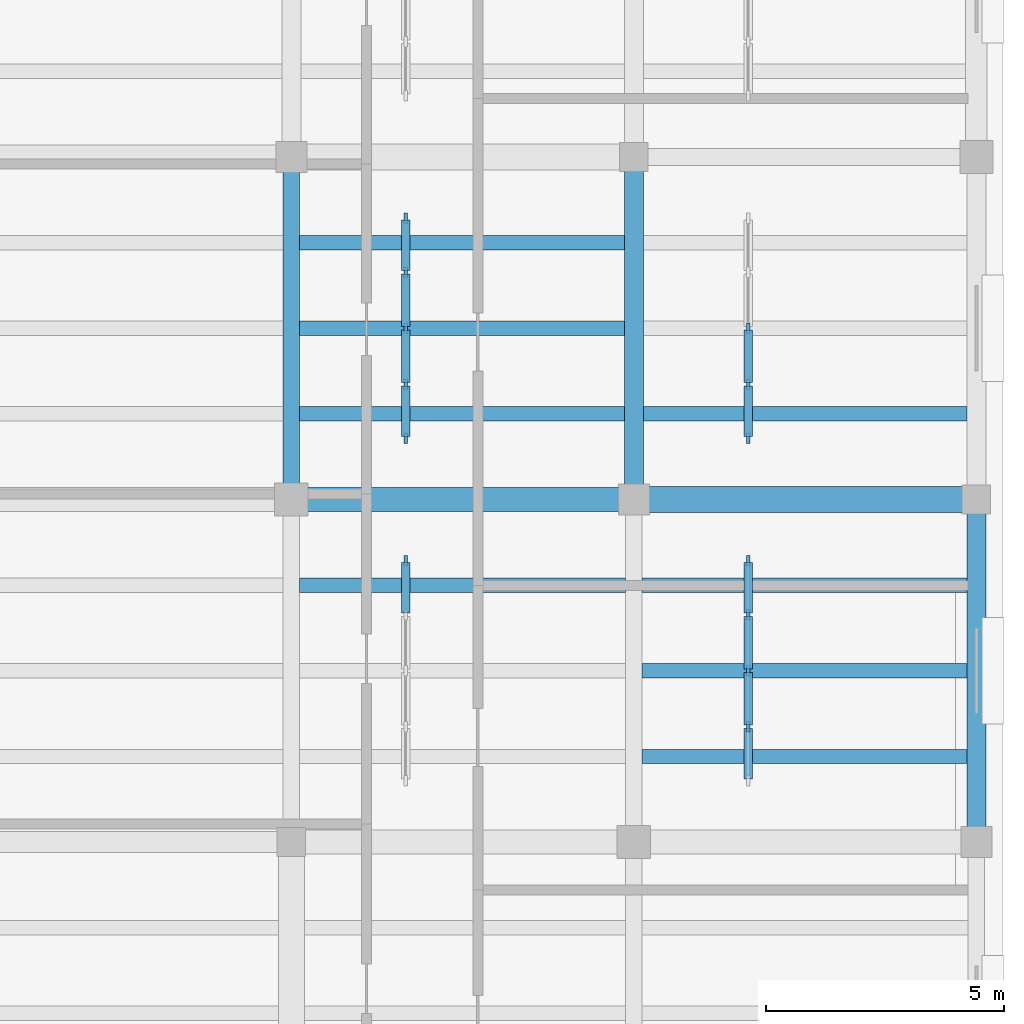
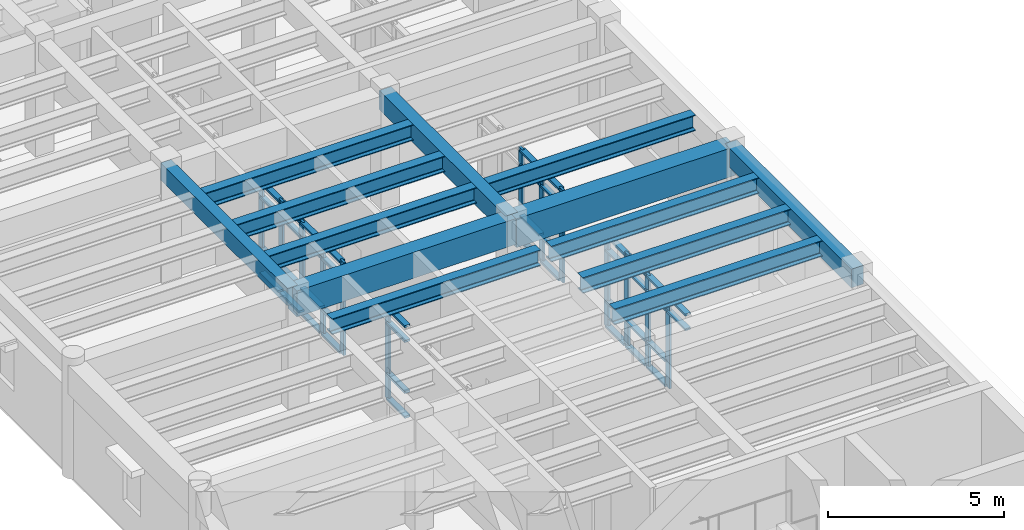
# One storey, part 17 of 66: 55 members, 13 beams, 4 elements without a shape of their own.
"""IFC4 building model written with IfcOpenShell, lengths in metres."""

from ifc_helpers import new_model, si_unit, direction, frame, origin, origin_2d, place, context, subcontext, project, spatial, rectangle, i_section, extrude, material, material_profile, profile_set, type_object, element, aggregate, save


model = new_model("IFC4")

# Units and contexts
model_context = context("Model", 3, precision=1e-05, world=origin(), true_north=direction((0.0, 1.0)))
body_context = subcontext(model_context, "Body", "Model", "MODEL_VIEW")
ifc_project = project(units=[si_unit("LENGTHUNIT", "METRE"), si_unit("AREAUNIT", "SQUARE_METRE"), si_unit("VOLUMEUNIT", "CUBIC_METRE"), si_unit("PLANEANGLEUNIT", "RADIAN"), si_unit("MASSUNIT", "GRAM", prefix="KILO")], contexts=[model_context])

# Site, building, storey
site_placement = place(None, origin())
site = spatial("IfcSite", under=ifc_project, at=site_placement, CompositionType="ELEMENT")
building_placement = place(site_placement, origin())
building = spatial("IfcBuilding", under=site, at=building_placement, Name="Mithqara Police Headquarters", CompositionType="ELEMENT")
storey_placement = place(building_placement, frame((0.0, 0.0, 9.60009765625)))
storey = spatial("IfcBuildingStorey", under=building, at=storey_placement, Name="L02", CompositionType="ELEMENT", Elevation=9.60009765625)

# Beams
ifc_material_1 = material(Name="Steel S355JR", Category="steel")
ifc_material_profile_1 = material_profile(ifc_material_1, i_section(OverallWidth=0.300048828125, OverallDepth=0.550048828125, WebThickness=0.014892578125, FlangeThickness=0.029052734375, FilletRadius=0.027099609375, at=origin_2d()), Name="HEB 550")
ifc_profile_set_1 = profile_set([ifc_material_profile_1], Name="Steel S355JR")
beam_type_1 = type_object("IfcBeamType", Name="BEAM HEB550", PredefinedType="BEAM", material=ifc_profile_set_1)
beam_1_placement = place(storey_placement, frame((151.97509765625, 62.39990234375, 3.664794921875), z_axis=(1.0, 0.0, 0.0), x_axis=(0.0, 1.0, 0.0)))
element("IfcBeam", 1, at=beam_1_placement, inside=storey, type_object=beam_type_1, Name="L02 Composite Steel Joist 22-23/J.3", PredefinedType="BEAM", context=body_context, shape_type="SweptSolid", body=[
    extrude(i_section(OverallWidth=0.300048828125, OverallDepth=0.550048828125, WebThickness=0.014892578125, FlangeThickness=0.029052734375, FilletRadius=0.027099609375, at=origin_2d()), origin(), (0.0, 0.0, 1.0), 6.849853515625),
])
for number, where, z_axis, x_axis, name in (
    (2, (151.97509765625, 66.0, 3.664794921875), (1.0, 0.0, 0.0), (0.0, 1.0, 0.0), "L02 Composite Steel Joist 22-23/K.1"),
    (3, (151.97509765625, 67.800048828125, 3.664794921875), (1.0, 0.0, 0.0), (0.0, 1.0, 0.0), "L02 Composite Steel Joist 22-23/K.2"),
    (4, (151.97509765625, 69.60009765625, 3.664794921875), (1.0, 0.0, 0.0), (0.0, 1.0, 0.0), "L02 Composite Steel Joist 22-23/K.3"),
    (5, (159.175048828125, 58.800048828125, 3.664794921875), (1.0, 0.0, 0.0), (0.0, 1.0, 0.0), "L02 Composite Steel Joist 23-24/J.1"),
    (6, (159.175048828125, 60.60009765625, 3.664794921875), (1.0, 0.0, 0.0), (0.0, 1.0, 0.0), "L02 Composite Steel Joist 23-24/J.2"),
    (7, (159.175048828125, 62.39990234375, 3.664794921875), (1.0, 0.0, 0.0), (0.0, 1.0, 0.0), "L02 Composite Steel Joist 23-24/J.3"),
):
    element("IfcBeam", number, at=place(storey_placement, frame(where, z_axis=z_axis, x_axis=x_axis)), inside=storey, type_object=beam_type_1, Name=name, PredefinedType="BEAM", context=body_context, shape_type="SweptSolid", body=[
        extrude(i_section(OverallWidth=0.300048828125, OverallDepth=0.550048828125, WebThickness=0.014892578125, FlangeThickness=0.029052734375, FilletRadius=0.027099609375, at=origin_2d()), origin(), (0.0, 0.0, 1.0), 6.824951171875),
    ])
beam_2_placement = place(storey_placement, frame((159.199951171875, 66.0, 3.664794921875), z_axis=(1.0, 0.0, 0.0), x_axis=(0.0, 1.0, 0.0)))
element("IfcBeam", 8, at=beam_2_placement, inside=storey, type_object=beam_type_1, Name="L02 Composite Steel Joist 23-24/K.1", PredefinedType="BEAM", context=body_context, shape_type="SweptSolid", body=[
    extrude(i_section(OverallWidth=0.300048828125, OverallDepth=0.550048828125, WebThickness=0.014892578125, FlangeThickness=0.029052734375, FilletRadius=0.027099609375, at=origin_2d()), origin(), (0.0, 0.0, 1.0), 6.800048828125),
])
ifc_material_2 = material(Name="Concrete C40/50", Category="concrete")
ifc_material_profile_2 = material_profile(ifc_material_2, rectangle(XDim=0.35009765625, YDim=0.60009765625, at=origin_2d()), Name="RC 350x600")
ifc_profile_set_2 = profile_set([ifc_material_profile_2], Name="Concrete C40/50")
beam_type_2 = type_object("IfcBeamType", Name="BEAM RC350X600", PredefinedType="BEAM", material=ifc_profile_set_2)
beam_3_placement = place(storey_placement, frame((151.800048828125, 64.199951171875, 3.639892578125), z_axis=(0.0, 1.0, 0.0), x_axis=(-1.0, 0.0, 0.0)))
element("IfcBeam", 9, at=beam_3_placement, inside=storey, type_object=beam_type_2, Name="L02 Girder 22/K-L", PredefinedType="BEAM", context=body_context, shape_type="SweptSolid", body=[
    extrude(rectangle(XDim=0.35009765625, YDim=0.60009765625, at=origin_2d()), origin(), (0.0, 0.0, 1.0), 7.199951171875),
])
ifc_material_profile_3 = material_profile(ifc_material_2, rectangle(XDim=0.39990234375, YDim=0.64990234375, at=origin_2d()), Name="RC 400x650")
ifc_profile_set_3 = profile_set([ifc_material_profile_3], Name="Concrete C40/50")
beam_type_3 = type_object("IfcBeamType", Name="BEAM RC400X650", PredefinedType="BEAM", material=ifc_profile_set_3)
for number, where, z_axis, x_axis, name in (
    (10, (159.0, 64.199951171875, 3.614990234375), (0.0, 1.0, 0.0), (-1.0, 0.0, 0.0), "L02 Girder 23/K-L"),
    (11, (166.199951171875, 57.0, 3.614990234375), (0.0, 1.0, 0.0), (-1.0, 0.0, 0.0), "L02 Girder 24/J-K"),
):
    element("IfcBeam", number, at=place(storey_placement, frame(where, z_axis=z_axis, x_axis=x_axis)), inside=storey, type_object=beam_type_3, Name=name, PredefinedType="BEAM", context=body_context, shape_type="SweptSolid", body=[
        extrude(rectangle(XDim=0.39990234375, YDim=0.64990234375, at=origin_2d()), origin(), (0.0, 0.0, 1.0), 7.199951171875),
    ])
ifc_material_3 = material(Name="Concrete C50/60", Category="concrete")
ifc_material_profile_4 = material_profile(ifc_material_3, rectangle(XDim=0.5, YDim=0.89990234375, at=origin_2d()), Name="RC 500x900")
ifc_profile_set_4 = profile_set([ifc_material_profile_4], Name="Concrete C50/60")
beam_type_4 = type_object("IfcBeamType", Name="BEAM RC500X900", PredefinedType="BEAM", material=ifc_profile_set_4)
beam_4_placement = place(storey_placement, frame((151.800048828125, 64.199951171875, 3.489990234375), z_axis=(1.0, 0.0, 0.0), x_axis=(0.0, 1.0, 0.0)))
element("IfcBeam", 12, at=beam_4_placement, inside=storey, type_object=beam_type_4, Name="L02 Girder 22-23/K", PredefinedType="BEAM", context=body_context, shape_type="SweptSolid", body=[
    extrude(rectangle(XDim=0.5, YDim=0.89990234375, at=origin_2d()), origin(), (0.0, 0.0, 1.0), 7.199951171875),
])
ifc_material_profile_5 = material_profile(ifc_material_3, rectangle(XDim=0.550048828125, YDim=1.0, at=origin_2d()), Name="RC 550x1000")
ifc_profile_set_5 = profile_set([ifc_material_profile_5], Name="Concrete C50/60")
beam_type_5 = type_object("IfcBeamType", Name="BEAM RC550X1000", PredefinedType="BEAM", material=ifc_profile_set_5)
beam_5_placement = place(storey_placement, frame((159.0, 64.199951171875, 3.43994140625), z_axis=(1.0, 0.0, 0.0), x_axis=(0.0, 1.0, 0.0)))
element("IfcBeam", 13, at=beam_5_placement, inside=storey, type_object=beam_type_5, Name="L02 Girder 23-24/K", PredefinedType="BEAM", context=body_context, shape_type="SweptSolid", body=[
    extrude(rectangle(XDim=0.550048828125, YDim=1.0, at=origin_2d()), origin(), (0.0, 0.0, 1.0), 7.199951171875),
])

# Curtain wall, member
ifc_material_4 = material(Name="Bronze anodised aluminium 6063-T6", Category="aluminium")
curtain_wall_type = type_object("IfcCurtainWallType", Name="CURTAIN WALL 4700X3220", PredefinedType="USERDEFINED", material=ifc_material_4)
curtain_wall_1_placement = place(storey_placement, origin())
curtain_wall_1 = element("IfcCurtainWall", 14, at=curtain_wall_1_placement, inside=storey, type_object=curtain_wall_type, Name="L02 Unitised Glazing CW-16 (CW-INT-L02-X21-Y08-0)", ObjectType="UNITISED GLAZING", PredefinedType="USERDEFINED")
ifc_material_profile_6 = material_profile(ifc_material_4, rectangle(XDim=0.074951171875, YDim=0.219970703125, at=origin_2d()), Name="CWM 75x220")
ifc_profile_set_6 = profile_set([ifc_material_profile_6], Name="Bronze anodised aluminium 6063-T6")
member_type_1 = type_object("IfcMemberType", Name="CWMULLION 75X220", PredefinedType="MULLION", material=ifc_profile_set_6)
member_1_placement = place(storey_placement, frame((154.199951171875, 62.91259765625, 0.0), z_axis=(0.0, 0.0, 1.0), x_axis=(-1.0, 0.0, 0.0)))
member_1 = element("IfcMember", 15, at=member_1_placement, type_object=member_type_1, Name="CW-16 mullion 5", PredefinedType="MULLION", context=body_context, shape_type="SweptSolid", body=[
    extrude(rectangle(XDim=0.074951171875, YDim=0.219970703125, at=origin_2d()), origin(), (0.0, 0.0, 1.0), 3.219970703125),
])

# Curtain wall, members
curtain_wall_2_placement = place(storey_placement, origin())
curtain_wall_2 = element("IfcCurtainWall", 16, at=curtain_wall_2_placement, inside=storey, type_object=curtain_wall_type, Name="L02 Unitised Glazing CW-16 (CW-INT-L02-X21-Y09-0)", ObjectType="UNITISED GLAZING", PredefinedType="USERDEFINED")
member_2_placement = place(storey_placement, frame((154.199951171875, 65.487548828125, 0.0), z_axis=(0.0, 0.0, 1.0), x_axis=(-1.0, 0.0, 0.0)))
member_2 = element("IfcMember", 17, at=member_2_placement, type_object=member_type_1, Name="CW-16 mullion 1", PredefinedType="MULLION", context=body_context, shape_type="SweptSolid", body=[
    extrude(rectangle(XDim=0.074951171875, YDim=0.219970703125, at=origin_2d()), origin(), (0.0, 0.0, 1.0), 3.219970703125),
])
member_3_placement = place(storey_placement, frame((154.199951171875, 66.625, 0.0), z_axis=(0.0, 0.0, 1.0), x_axis=(-1.0, 0.0, 0.0)))
member_3 = element("IfcMember", 18, at=member_3_placement, type_object=member_type_1, Name="CW-16 mullion 2", PredefinedType="MULLION", context=body_context, shape_type="SweptSolid", body=[
    extrude(rectangle(XDim=0.074951171875, YDim=0.219970703125, at=origin_2d()), origin(), (0.0, 0.0, 1.0), 3.219970703125),
])
member_4_placement = place(storey_placement, frame((154.199951171875, 67.800048828125, 0.0), z_axis=(0.0, 0.0, 1.0), x_axis=(-1.0, 0.0, 0.0)))
member_4 = element("IfcMember", 19, at=member_4_placement, type_object=member_type_1, Name="CW-16 mullion 3", PredefinedType="MULLION", context=body_context, shape_type="SweptSolid", body=[
    extrude(rectangle(XDim=0.074951171875, YDim=0.219970703125, at=origin_2d()), origin(), (0.0, 0.0, 1.0), 3.219970703125),
])
member_5_placement = place(storey_placement, frame((154.199951171875, 68.97509765625, 0.0), z_axis=(0.0, 0.0, 1.0), x_axis=(-1.0, 0.0, 0.0)))
member_5 = element("IfcMember", 20, at=member_5_placement, type_object=member_type_1, Name="CW-16 mullion 4", PredefinedType="MULLION", context=body_context, shape_type="SweptSolid", body=[
    extrude(rectangle(XDim=0.074951171875, YDim=0.219970703125, at=origin_2d()), origin(), (0.0, 0.0, 1.0), 3.219970703125),
])
member_6_placement = place(storey_placement, frame((154.199951171875, 70.112548828125, 0.0), z_axis=(0.0, 0.0, 1.0), x_axis=(-1.0, 0.0, 0.0)))
member_6 = element("IfcMember", 21, at=member_6_placement, type_object=member_type_1, Name="CW-16 mullion 5", PredefinedType="MULLION", context=body_context, shape_type="SweptSolid", body=[
    extrude(rectangle(XDim=0.074951171875, YDim=0.219970703125, at=origin_2d()), origin(), (0.0, 0.0, 1.0), 3.219970703125),
])

curtain_wall_3_placement = place(storey_placement, origin())
curtain_wall_3 = element("IfcCurtainWall", 22, at=curtain_wall_3_placement, inside=storey, type_object=curtain_wall_type, Name="L02 Unitised Glazing CW-16 (CW-INT-L02-X22-Y08-0)", ObjectType="UNITISED GLAZING", PredefinedType="USERDEFINED")
member_7_placement = place(storey_placement, frame((161.39990234375, 59.425048828125, 0.0), z_axis=(0.0, 0.0, 1.0), x_axis=(-1.0, 0.0, 0.0)))
member_7 = element("IfcMember", 23, at=member_7_placement, type_object=member_type_1, Name="CW-16 mullion 2", PredefinedType="MULLION", context=body_context, shape_type="SweptSolid", body=[
    extrude(rectangle(XDim=0.074951171875, YDim=0.219970703125, at=origin_2d()), origin(), (0.0, 0.0, 1.0), 3.219970703125),
])
member_8_placement = place(storey_placement, frame((161.39990234375, 60.60009765625, 0.0), z_axis=(0.0, 0.0, 1.0), x_axis=(-1.0, 0.0, 0.0)))
member_8 = element("IfcMember", 24, at=member_8_placement, type_object=member_type_1, Name="CW-16 mullion 3", PredefinedType="MULLION", context=body_context, shape_type="SweptSolid", body=[
    extrude(rectangle(XDim=0.074951171875, YDim=0.219970703125, at=origin_2d()), origin(), (0.0, 0.0, 1.0), 3.219970703125),
])
member_9_placement = place(storey_placement, frame((161.39990234375, 61.77490234375, 0.0), z_axis=(0.0, 0.0, 1.0), x_axis=(-1.0, 0.0, 0.0)))
member_9 = element("IfcMember", 25, at=member_9_placement, type_object=member_type_1, Name="CW-16 mullion 4", PredefinedType="MULLION", context=body_context, shape_type="SweptSolid", body=[
    extrude(rectangle(XDim=0.074951171875, YDim=0.219970703125, at=origin_2d()), origin(), (0.0, 0.0, 1.0), 3.219970703125),
])
member_10_placement = place(storey_placement, frame((161.39990234375, 62.91259765625, 0.0), z_axis=(0.0, 0.0, 1.0), x_axis=(-1.0, 0.0, 0.0)))
member_10 = element("IfcMember", 26, at=member_10_placement, type_object=member_type_1, Name="CW-16 mullion 5", PredefinedType="MULLION", context=body_context, shape_type="SweptSolid", body=[
    extrude(rectangle(XDim=0.074951171875, YDim=0.219970703125, at=origin_2d()), origin(), (0.0, 0.0, 1.0), 3.219970703125),
])

curtain_wall_4_placement = place(storey_placement, origin())
curtain_wall_4 = element("IfcCurtainWall", 27, at=curtain_wall_4_placement, inside=storey, type_object=curtain_wall_type, Name="L02 Unitised Glazing CW-16 (CW-INT-L02-X22-Y09-0)", ObjectType="UNITISED GLAZING", PredefinedType="USERDEFINED")
member_11_placement = place(storey_placement, frame((161.39990234375, 65.487548828125, 0.0), z_axis=(0.0, 0.0, 1.0), x_axis=(-1.0, 0.0, 0.0)))
member_11 = element("IfcMember", 28, at=member_11_placement, type_object=member_type_1, Name="CW-16 mullion 1", PredefinedType="MULLION", context=body_context, shape_type="SweptSolid", body=[
    extrude(rectangle(XDim=0.074951171875, YDim=0.219970703125, at=origin_2d()), origin(), (0.0, 0.0, 1.0), 3.219970703125),
])
member_12_placement = place(storey_placement, frame((161.39990234375, 66.625, 0.0), z_axis=(0.0, 0.0, 1.0), x_axis=(-1.0, 0.0, 0.0)))
member_12 = element("IfcMember", 29, at=member_12_placement, type_object=member_type_1, Name="CW-16 mullion 2", PredefinedType="MULLION", context=body_context, shape_type="SweptSolid", body=[
    extrude(rectangle(XDim=0.074951171875, YDim=0.219970703125, at=origin_2d()), origin(), (0.0, 0.0, 1.0), 3.219970703125),
])
member_13_placement = place(storey_placement, frame((161.39990234375, 67.800048828125, 0.0), z_axis=(0.0, 0.0, 1.0), x_axis=(-1.0, 0.0, 0.0)))
member_13 = element("IfcMember", 30, at=member_13_placement, type_object=member_type_1, Name="CW-16 mullion 3", PredefinedType="MULLION", context=body_context, shape_type="SweptSolid", body=[
    extrude(rectangle(XDim=0.074951171875, YDim=0.219970703125, at=origin_2d()), origin(), (0.0, 0.0, 1.0), 3.219970703125),
])

# Member
ifc_material_profile_7 = material_profile(ifc_material_4, rectangle(XDim=0.179931640625, YDim=0.074951171875, at=origin_2d()), Name="CWT 180x75")
ifc_profile_set_7 = profile_set([ifc_material_profile_7], Name="Bronze anodised aluminium 6063-T6")
member_type_2 = type_object("IfcMemberType", Name="CWTRANSOM 180X75", PredefinedType="USERDEFINED", material=ifc_profile_set_7)
member_14_placement = place(storey_placement, frame((154.199951171875, 61.8125, 0.037353515625), z_axis=(0.0, 1.0, 0.0), x_axis=(-1.0, 0.0, 0.0)))
member_14 = element("IfcMember", 31, at=member_14_placement, type_object=member_type_2, Name="CW-16 transom 4.1", ObjectType="TRANSOM", PredefinedType="USERDEFINED", context=body_context, shape_type="SweptSolid", body=[
    extrude(rectangle(XDim=0.179931640625, YDim=0.074951171875, at=origin_2d()), origin(), (0.0, 0.0, 1.0), 1.0625),
])

member_15_placement = place(storey_placement, frame((154.199951171875, 61.8125, 0.89990234375), z_axis=(0.0, 1.0, 0.0), x_axis=(-1.0, 0.0, 0.0)))
member_15 = element("IfcMember", 32, at=member_15_placement, type_object=member_type_2, Name="CW-16 transom 4.2", ObjectType="TRANSOM", PredefinedType="USERDEFINED", context=body_context, shape_type="SweptSolid", body=[
    extrude(rectangle(XDim=0.179931640625, YDim=0.074951171875, at=origin_2d()), origin(), (0.0, 0.0, 1.0), 1.0625),
])

member_16_placement = place(storey_placement, frame((154.199951171875, 61.8125, 2.669921875), z_axis=(0.0, 1.0, 0.0), x_axis=(-1.0, 0.0, 0.0)))
member_16 = element("IfcMember", 33, at=member_16_placement, type_object=member_type_2, Name="CW-16 transom 4.3", ObjectType="TRANSOM", PredefinedType="USERDEFINED", context=body_context, shape_type="SweptSolid", body=[
    extrude(rectangle(XDim=0.179931640625, YDim=0.074951171875, at=origin_2d()), origin(), (0.0, 0.0, 1.0), 1.0625),
])

member_17_placement = place(storey_placement, frame((154.199951171875, 61.8125, 3.182373046875), z_axis=(0.0, 1.0, 0.0), x_axis=(-1.0, 0.0, 0.0)))
member_17 = element("IfcMember", 34, at=member_17_placement, type_object=member_type_2, Name="CW-16 transom 4.4", ObjectType="TRANSOM", PredefinedType="USERDEFINED", context=body_context, shape_type="SweptSolid", body=[
    extrude(rectangle(XDim=0.179931640625, YDim=0.074951171875, at=origin_2d()), origin(), (0.0, 0.0, 1.0), 1.0625),
])

aggregate(curtain_wall_1, [member_1, member_14, member_15, member_16, member_17])

member_18_placement = place(storey_placement, frame((154.199951171875, 65.52490234375, 0.037353515625), z_axis=(0.0, 1.0, 0.0), x_axis=(-1.0, 0.0, 0.0)))
member_18 = element("IfcMember", 35, at=member_18_placement, type_object=member_type_2, Name="CW-16 transom 1.1", ObjectType="TRANSOM", PredefinedType="USERDEFINED", context=body_context, shape_type="SweptSolid", body=[
    extrude(rectangle(XDim=0.179931640625, YDim=0.074951171875, at=origin_2d()), origin(), (0.0, 0.0, 1.0), 1.0625),
])

member_19_placement = place(storey_placement, frame((154.199951171875, 65.52490234375, 0.89990234375), z_axis=(0.0, 1.0, 0.0), x_axis=(-1.0, 0.0, 0.0)))
member_19 = element("IfcMember", 36, at=member_19_placement, type_object=member_type_2, Name="CW-16 transom 1.2", ObjectType="TRANSOM", PredefinedType="USERDEFINED", context=body_context, shape_type="SweptSolid", body=[
    extrude(rectangle(XDim=0.179931640625, YDim=0.074951171875, at=origin_2d()), origin(), (0.0, 0.0, 1.0), 1.0625),
])

member_20_placement = place(storey_placement, frame((154.199951171875, 65.52490234375, 2.669921875), z_axis=(0.0, 1.0, 0.0), x_axis=(-1.0, 0.0, 0.0)))
member_20 = element("IfcMember", 37, at=member_20_placement, type_object=member_type_2, Name="CW-16 transom 1.3", ObjectType="TRANSOM", PredefinedType="USERDEFINED", context=body_context, shape_type="SweptSolid", body=[
    extrude(rectangle(XDim=0.179931640625, YDim=0.074951171875, at=origin_2d()), origin(), (0.0, 0.0, 1.0), 1.0625),
])

member_21_placement = place(storey_placement, frame((154.199951171875, 65.52490234375, 3.182373046875), z_axis=(0.0, 1.0, 0.0), x_axis=(-1.0, 0.0, 0.0)))
member_21 = element("IfcMember", 38, at=member_21_placement, type_object=member_type_2, Name="CW-16 transom 1.4", ObjectType="TRANSOM", PredefinedType="USERDEFINED", context=body_context, shape_type="SweptSolid", body=[
    extrude(rectangle(XDim=0.179931640625, YDim=0.074951171875, at=origin_2d()), origin(), (0.0, 0.0, 1.0), 1.0625),
])

member_22_placement = place(storey_placement, frame((154.199951171875, 66.66259765625, 0.037353515625), z_axis=(0.0, 1.0, 0.0), x_axis=(-1.0, 0.0, 0.0)))
member_22 = element("IfcMember", 39, at=member_22_placement, type_object=member_type_2, Name="CW-16 transom 2.1", ObjectType="TRANSOM", PredefinedType="USERDEFINED", context=body_context, shape_type="SweptSolid", body=[
    extrude(rectangle(XDim=0.179931640625, YDim=0.074951171875, at=origin_2d()), origin(), (0.0, 0.0, 1.0), 1.099853515625),
])

member_23_placement = place(storey_placement, frame((154.199951171875, 66.66259765625, 0.89990234375), z_axis=(0.0, 1.0, 0.0), x_axis=(-1.0, 0.0, 0.0)))
member_23 = element("IfcMember", 40, at=member_23_placement, type_object=member_type_2, Name="CW-16 transom 2.2", ObjectType="TRANSOM", PredefinedType="USERDEFINED", context=body_context, shape_type="SweptSolid", body=[
    extrude(rectangle(XDim=0.179931640625, YDim=0.074951171875, at=origin_2d()), origin(), (0.0, 0.0, 1.0), 1.099853515625),
])

member_24_placement = place(storey_placement, frame((154.199951171875, 66.66259765625, 2.669921875), z_axis=(0.0, 1.0, 0.0), x_axis=(-1.0, 0.0, 0.0)))
member_24 = element("IfcMember", 41, at=member_24_placement, type_object=member_type_2, Name="CW-16 transom 2.3", ObjectType="TRANSOM", PredefinedType="USERDEFINED", context=body_context, shape_type="SweptSolid", body=[
    extrude(rectangle(XDim=0.179931640625, YDim=0.074951171875, at=origin_2d()), origin(), (0.0, 0.0, 1.0), 1.099853515625),
])

member_25_placement = place(storey_placement, frame((154.199951171875, 66.66259765625, 3.182373046875), z_axis=(0.0, 1.0, 0.0), x_axis=(-1.0, 0.0, 0.0)))
member_25 = element("IfcMember", 42, at=member_25_placement, type_object=member_type_2, Name="CW-16 transom 2.4", ObjectType="TRANSOM", PredefinedType="USERDEFINED", context=body_context, shape_type="SweptSolid", body=[
    extrude(rectangle(XDim=0.179931640625, YDim=0.074951171875, at=origin_2d()), origin(), (0.0, 0.0, 1.0), 1.099853515625),
])

member_26_placement = place(storey_placement, frame((154.199951171875, 67.83740234375, 0.037353515625), z_axis=(0.0, 1.0, 0.0), x_axis=(-1.0, 0.0, 0.0)))
member_26 = element("IfcMember", 43, at=member_26_placement, type_object=member_type_2, Name="CW-16 transom 3.1", ObjectType="TRANSOM", PredefinedType="USERDEFINED", context=body_context, shape_type="SweptSolid", body=[
    extrude(rectangle(XDim=0.179931640625, YDim=0.074951171875, at=origin_2d()), origin(), (0.0, 0.0, 1.0), 1.10009765625),
])

member_27_placement = place(storey_placement, frame((154.199951171875, 67.83740234375, 0.89990234375), z_axis=(0.0, 1.0, 0.0), x_axis=(-1.0, 0.0, 0.0)))
member_27 = element("IfcMember", 44, at=member_27_placement, type_object=member_type_2, Name="CW-16 transom 3.2", ObjectType="TRANSOM", PredefinedType="USERDEFINED", context=body_context, shape_type="SweptSolid", body=[
    extrude(rectangle(XDim=0.179931640625, YDim=0.074951171875, at=origin_2d()), origin(), (0.0, 0.0, 1.0), 1.10009765625),
])

member_28_placement = place(storey_placement, frame((154.199951171875, 67.83740234375, 2.669921875), z_axis=(0.0, 1.0, 0.0), x_axis=(-1.0, 0.0, 0.0)))
member_28 = element("IfcMember", 45, at=member_28_placement, type_object=member_type_2, Name="CW-16 transom 3.3", ObjectType="TRANSOM", PredefinedType="USERDEFINED", context=body_context, shape_type="SweptSolid", body=[
    extrude(rectangle(XDim=0.179931640625, YDim=0.074951171875, at=origin_2d()), origin(), (0.0, 0.0, 1.0), 1.10009765625),
])

member_29_placement = place(storey_placement, frame((154.199951171875, 67.83740234375, 3.182373046875), z_axis=(0.0, 1.0, 0.0), x_axis=(-1.0, 0.0, 0.0)))
member_29 = element("IfcMember", 46, at=member_29_placement, type_object=member_type_2, Name="CW-16 transom 3.4", ObjectType="TRANSOM", PredefinedType="USERDEFINED", context=body_context, shape_type="SweptSolid", body=[
    extrude(rectangle(XDim=0.179931640625, YDim=0.074951171875, at=origin_2d()), origin(), (0.0, 0.0, 1.0), 1.10009765625),
])

member_30_placement = place(storey_placement, frame((154.199951171875, 69.012451171875, 0.037353515625), z_axis=(0.0, 1.0, 0.0), x_axis=(-1.0, 0.0, 0.0)))
member_30 = element("IfcMember", 47, at=member_30_placement, type_object=member_type_2, Name="CW-16 transom 4.1", ObjectType="TRANSOM", PredefinedType="USERDEFINED", context=body_context, shape_type="SweptSolid", body=[
    extrude(rectangle(XDim=0.179931640625, YDim=0.074951171875, at=origin_2d()), origin(), (0.0, 0.0, 1.0), 1.0625),
])

member_31_placement = place(storey_placement, frame((154.199951171875, 69.012451171875, 0.89990234375), z_axis=(0.0, 1.0, 0.0), x_axis=(-1.0, 0.0, 0.0)))
member_31 = element("IfcMember", 48, at=member_31_placement, type_object=member_type_2, Name="CW-16 transom 4.2", ObjectType="TRANSOM", PredefinedType="USERDEFINED", context=body_context, shape_type="SweptSolid", body=[
    extrude(rectangle(XDim=0.179931640625, YDim=0.074951171875, at=origin_2d()), origin(), (0.0, 0.0, 1.0), 1.0625),
])

member_32_placement = place(storey_placement, frame((154.199951171875, 69.012451171875, 2.669921875), z_axis=(0.0, 1.0, 0.0), x_axis=(-1.0, 0.0, 0.0)))
member_32 = element("IfcMember", 49, at=member_32_placement, type_object=member_type_2, Name="CW-16 transom 4.3", ObjectType="TRANSOM", PredefinedType="USERDEFINED", context=body_context, shape_type="SweptSolid", body=[
    extrude(rectangle(XDim=0.179931640625, YDim=0.074951171875, at=origin_2d()), origin(), (0.0, 0.0, 1.0), 1.0625),
])

member_33_placement = place(storey_placement, frame((154.199951171875, 69.012451171875, 3.182373046875), z_axis=(0.0, 1.0, 0.0), x_axis=(-1.0, 0.0, 0.0)))
member_33 = element("IfcMember", 50, at=member_33_placement, type_object=member_type_2, Name="CW-16 transom 4.4", ObjectType="TRANSOM", PredefinedType="USERDEFINED", context=body_context, shape_type="SweptSolid", body=[
    extrude(rectangle(XDim=0.179931640625, YDim=0.074951171875, at=origin_2d()), origin(), (0.0, 0.0, 1.0), 1.0625),
])

aggregate(curtain_wall_2, [member_2, member_3, member_4, member_5, member_6, member_18, member_19, member_20, member_21, member_22, member_23, member_24, member_25, member_26, member_27, member_28, member_29, member_30, member_31, member_32, member_33])

member_34_placement = place(storey_placement, frame((161.39990234375, 58.324951171875, 2.669921875), z_axis=(0.0, 1.0, 0.0), x_axis=(-1.0, 0.0, 0.0)))
member_34 = element("IfcMember", 51, at=member_34_placement, type_object=member_type_2, Name="CW-16 transom 1.3", ObjectType="TRANSOM", PredefinedType="USERDEFINED", context=body_context, shape_type="SweptSolid", body=[
    extrude(rectangle(XDim=0.179931640625, YDim=0.074951171875, at=origin_2d()), origin(), (0.0, 0.0, 1.0), 1.0625),
])

member_35_placement = place(storey_placement, frame((161.39990234375, 58.324951171875, 3.182373046875), z_axis=(0.0, 1.0, 0.0), x_axis=(-1.0, 0.0, 0.0)))
member_35 = element("IfcMember", 52, at=member_35_placement, type_object=member_type_2, Name="CW-16 transom 1.4", ObjectType="TRANSOM", PredefinedType="USERDEFINED", context=body_context, shape_type="SweptSolid", body=[
    extrude(rectangle(XDim=0.179931640625, YDim=0.074951171875, at=origin_2d()), origin(), (0.0, 0.0, 1.0), 1.0625),
])

member_36_placement = place(storey_placement, frame((161.39990234375, 59.46240234375, 0.037353515625), z_axis=(0.0, 1.0, 0.0), x_axis=(-1.0, 0.0, 0.0)))
member_36 = element("IfcMember", 53, at=member_36_placement, type_object=member_type_2, Name="CW-16 transom 2.1", ObjectType="TRANSOM", PredefinedType="USERDEFINED", context=body_context, shape_type="SweptSolid", body=[
    extrude(rectangle(XDim=0.179931640625, YDim=0.074951171875, at=origin_2d()), origin(), (0.0, 0.0, 1.0), 1.10009765625),
])

member_37_placement = place(storey_placement, frame((161.39990234375, 59.46240234375, 0.89990234375), z_axis=(0.0, 1.0, 0.0), x_axis=(-1.0, 0.0, 0.0)))
member_37 = element("IfcMember", 54, at=member_37_placement, type_object=member_type_2, Name="CW-16 transom 2.2", ObjectType="TRANSOM", PredefinedType="USERDEFINED", context=body_context, shape_type="SweptSolid", body=[
    extrude(rectangle(XDim=0.179931640625, YDim=0.074951171875, at=origin_2d()), origin(), (0.0, 0.0, 1.0), 1.10009765625),
])

member_38_placement = place(storey_placement, frame((161.39990234375, 59.46240234375, 2.669921875), z_axis=(0.0, 1.0, 0.0), x_axis=(-1.0, 0.0, 0.0)))
member_38 = element("IfcMember", 55, at=member_38_placement, type_object=member_type_2, Name="CW-16 transom 2.3", ObjectType="TRANSOM", PredefinedType="USERDEFINED", context=body_context, shape_type="SweptSolid", body=[
    extrude(rectangle(XDim=0.179931640625, YDim=0.074951171875, at=origin_2d()), origin(), (0.0, 0.0, 1.0), 1.10009765625),
])

member_39_placement = place(storey_placement, frame((161.39990234375, 59.46240234375, 3.182373046875), z_axis=(0.0, 1.0, 0.0), x_axis=(-1.0, 0.0, 0.0)))
member_39 = element("IfcMember", 56, at=member_39_placement, type_object=member_type_2, Name="CW-16 transom 2.4", ObjectType="TRANSOM", PredefinedType="USERDEFINED", context=body_context, shape_type="SweptSolid", body=[
    extrude(rectangle(XDim=0.179931640625, YDim=0.074951171875, at=origin_2d()), origin(), (0.0, 0.0, 1.0), 1.10009765625),
])

member_40_placement = place(storey_placement, frame((161.39990234375, 60.637451171875, 0.037353515625), z_axis=(0.0, 1.0, 0.0), x_axis=(-1.0, 0.0, 0.0)))
member_40 = element("IfcMember", 57, at=member_40_placement, type_object=member_type_2, Name="CW-16 transom 3.1", ObjectType="TRANSOM", PredefinedType="USERDEFINED", context=body_context, shape_type="SweptSolid", body=[
    extrude(rectangle(XDim=0.179931640625, YDim=0.074951171875, at=origin_2d()), origin(), (0.0, 0.0, 1.0), 1.10009765625),
])

member_41_placement = place(storey_placement, frame((161.39990234375, 60.637451171875, 0.89990234375), z_axis=(0.0, 1.0, 0.0), x_axis=(-1.0, 0.0, 0.0)))
member_41 = element("IfcMember", 58, at=member_41_placement, type_object=member_type_2, Name="CW-16 transom 3.2", ObjectType="TRANSOM", PredefinedType="USERDEFINED", context=body_context, shape_type="SweptSolid", body=[
    extrude(rectangle(XDim=0.179931640625, YDim=0.074951171875, at=origin_2d()), origin(), (0.0, 0.0, 1.0), 1.10009765625),
])

member_42_placement = place(storey_placement, frame((161.39990234375, 60.637451171875, 2.669921875), z_axis=(0.0, 1.0, 0.0), x_axis=(-1.0, 0.0, 0.0)))
member_42 = element("IfcMember", 59, at=member_42_placement, type_object=member_type_2, Name="CW-16 transom 3.3", ObjectType="TRANSOM", PredefinedType="USERDEFINED", context=body_context, shape_type="SweptSolid", body=[
    extrude(rectangle(XDim=0.179931640625, YDim=0.074951171875, at=origin_2d()), origin(), (0.0, 0.0, 1.0), 1.10009765625),
])

member_43_placement = place(storey_placement, frame((161.39990234375, 60.637451171875, 3.182373046875), z_axis=(0.0, 1.0, 0.0), x_axis=(-1.0, 0.0, 0.0)))
member_43 = element("IfcMember", 60, at=member_43_placement, type_object=member_type_2, Name="CW-16 transom 3.4", ObjectType="TRANSOM", PredefinedType="USERDEFINED", context=body_context, shape_type="SweptSolid", body=[
    extrude(rectangle(XDim=0.179931640625, YDim=0.074951171875, at=origin_2d()), origin(), (0.0, 0.0, 1.0), 1.10009765625),
])

member_44_placement = place(storey_placement, frame((161.39990234375, 61.8125, 0.037353515625), z_axis=(0.0, 1.0, 0.0), x_axis=(-1.0, 0.0, 0.0)))
member_44 = element("IfcMember", 61, at=member_44_placement, type_object=member_type_2, Name="CW-16 transom 4.1", ObjectType="TRANSOM", PredefinedType="USERDEFINED", context=body_context, shape_type="SweptSolid", body=[
    extrude(rectangle(XDim=0.179931640625, YDim=0.074951171875, at=origin_2d()), origin(), (0.0, 0.0, 1.0), 1.0625),
])

member_45_placement = place(storey_placement, frame((161.39990234375, 61.8125, 0.89990234375), z_axis=(0.0, 1.0, 0.0), x_axis=(-1.0, 0.0, 0.0)))
member_45 = element("IfcMember", 62, at=member_45_placement, type_object=member_type_2, Name="CW-16 transom 4.2", ObjectType="TRANSOM", PredefinedType="USERDEFINED", context=body_context, shape_type="SweptSolid", body=[
    extrude(rectangle(XDim=0.179931640625, YDim=0.074951171875, at=origin_2d()), origin(), (0.0, 0.0, 1.0), 1.0625),
])

member_46_placement = place(storey_placement, frame((161.39990234375, 61.8125, 2.669921875), z_axis=(0.0, 1.0, 0.0), x_axis=(-1.0, 0.0, 0.0)))
member_46 = element("IfcMember", 63, at=member_46_placement, type_object=member_type_2, Name="CW-16 transom 4.3", ObjectType="TRANSOM", PredefinedType="USERDEFINED", context=body_context, shape_type="SweptSolid", body=[
    extrude(rectangle(XDim=0.179931640625, YDim=0.074951171875, at=origin_2d()), origin(), (0.0, 0.0, 1.0), 1.0625),
])

member_47_placement = place(storey_placement, frame((161.39990234375, 61.8125, 3.182373046875), z_axis=(0.0, 1.0, 0.0), x_axis=(-1.0, 0.0, 0.0)))
member_47 = element("IfcMember", 64, at=member_47_placement, type_object=member_type_2, Name="CW-16 transom 4.4", ObjectType="TRANSOM", PredefinedType="USERDEFINED", context=body_context, shape_type="SweptSolid", body=[
    extrude(rectangle(XDim=0.179931640625, YDim=0.074951171875, at=origin_2d()), origin(), (0.0, 0.0, 1.0), 1.0625),
])

aggregate(curtain_wall_3, [member_7, member_8, member_9, member_10, member_34, member_35, member_36, member_37, member_38, member_39, member_40, member_41, member_42, member_43, member_44, member_45, member_46, member_47])

member_48_placement = place(storey_placement, frame((161.39990234375, 65.52490234375, 0.037353515625), z_axis=(0.0, 1.0, 0.0), x_axis=(-1.0, 0.0, 0.0)))
member_48 = element("IfcMember", 65, at=member_48_placement, type_object=member_type_2, Name="CW-16 transom 1.1", ObjectType="TRANSOM", PredefinedType="USERDEFINED", context=body_context, shape_type="SweptSolid", body=[
    extrude(rectangle(XDim=0.179931640625, YDim=0.074951171875, at=origin_2d()), origin(), (0.0, 0.0, 1.0), 1.0625),
])

member_49_placement = place(storey_placement, frame((161.39990234375, 65.52490234375, 0.89990234375), z_axis=(0.0, 1.0, 0.0), x_axis=(-1.0, 0.0, 0.0)))
member_49 = element("IfcMember", 66, at=member_49_placement, type_object=member_type_2, Name="CW-16 transom 1.2", ObjectType="TRANSOM", PredefinedType="USERDEFINED", context=body_context, shape_type="SweptSolid", body=[
    extrude(rectangle(XDim=0.179931640625, YDim=0.074951171875, at=origin_2d()), origin(), (0.0, 0.0, 1.0), 1.0625),
])

member_50_placement = place(storey_placement, frame((161.39990234375, 65.52490234375, 2.669921875), z_axis=(0.0, 1.0, 0.0), x_axis=(-1.0, 0.0, 0.0)))
member_50 = element("IfcMember", 67, at=member_50_placement, type_object=member_type_2, Name="CW-16 transom 1.3", ObjectType="TRANSOM", PredefinedType="USERDEFINED", context=body_context, shape_type="SweptSolid", body=[
    extrude(rectangle(XDim=0.179931640625, YDim=0.074951171875, at=origin_2d()), origin(), (0.0, 0.0, 1.0), 1.0625),
])

member_51_placement = place(storey_placement, frame((161.39990234375, 65.52490234375, 3.182373046875), z_axis=(0.0, 1.0, 0.0), x_axis=(-1.0, 0.0, 0.0)))
member_51 = element("IfcMember", 68, at=member_51_placement, type_object=member_type_2, Name="CW-16 transom 1.4", ObjectType="TRANSOM", PredefinedType="USERDEFINED", context=body_context, shape_type="SweptSolid", body=[
    extrude(rectangle(XDim=0.179931640625, YDim=0.074951171875, at=origin_2d()), origin(), (0.0, 0.0, 1.0), 1.0625),
])

member_52_placement = place(storey_placement, frame((161.39990234375, 66.66259765625, 0.037353515625), z_axis=(0.0, 1.0, 0.0), x_axis=(-1.0, 0.0, 0.0)))
member_52 = element("IfcMember", 69, at=member_52_placement, type_object=member_type_2, Name="CW-16 transom 2.1", ObjectType="TRANSOM", PredefinedType="USERDEFINED", context=body_context, shape_type="SweptSolid", body=[
    extrude(rectangle(XDim=0.179931640625, YDim=0.074951171875, at=origin_2d()), origin(), (0.0, 0.0, 1.0), 1.099853515625),
])

member_53_placement = place(storey_placement, frame((161.39990234375, 66.66259765625, 0.89990234375), z_axis=(0.0, 1.0, 0.0), x_axis=(-1.0, 0.0, 0.0)))
member_53 = element("IfcMember", 70, at=member_53_placement, type_object=member_type_2, Name="CW-16 transom 2.2", ObjectType="TRANSOM", PredefinedType="USERDEFINED", context=body_context, shape_type="SweptSolid", body=[
    extrude(rectangle(XDim=0.179931640625, YDim=0.074951171875, at=origin_2d()), origin(), (0.0, 0.0, 1.0), 1.099853515625),
])

member_54_placement = place(storey_placement, frame((161.39990234375, 66.66259765625, 2.669921875), z_axis=(0.0, 1.0, 0.0), x_axis=(-1.0, 0.0, 0.0)))
member_54 = element("IfcMember", 71, at=member_54_placement, type_object=member_type_2, Name="CW-16 transom 2.3", ObjectType="TRANSOM", PredefinedType="USERDEFINED", context=body_context, shape_type="SweptSolid", body=[
    extrude(rectangle(XDim=0.179931640625, YDim=0.074951171875, at=origin_2d()), origin(), (0.0, 0.0, 1.0), 1.099853515625),
])

member_55_placement = place(storey_placement, frame((161.39990234375, 66.66259765625, 3.182373046875), z_axis=(0.0, 1.0, 0.0), x_axis=(-1.0, 0.0, 0.0)))
member_55 = element("IfcMember", 72, at=member_55_placement, type_object=member_type_2, Name="CW-16 transom 2.4", ObjectType="TRANSOM", PredefinedType="USERDEFINED", context=body_context, shape_type="SweptSolid", body=[
    extrude(rectangle(XDim=0.179931640625, YDim=0.074951171875, at=origin_2d()), origin(), (0.0, 0.0, 1.0), 1.099853515625),
])

aggregate(curtain_wall_4, [member_11, member_12, member_13, member_48, member_49, member_50, member_51, member_52, member_53, member_54, member_55])

save(model, "model.ifc")
